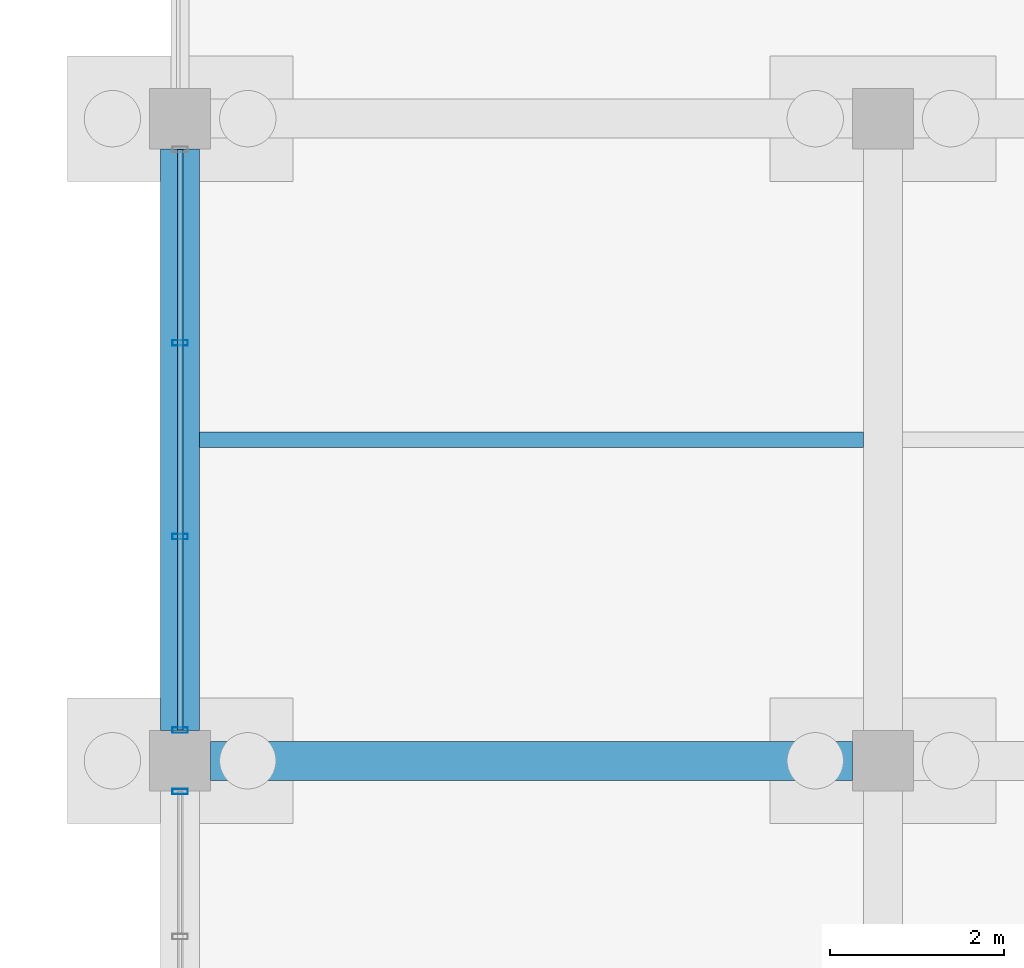
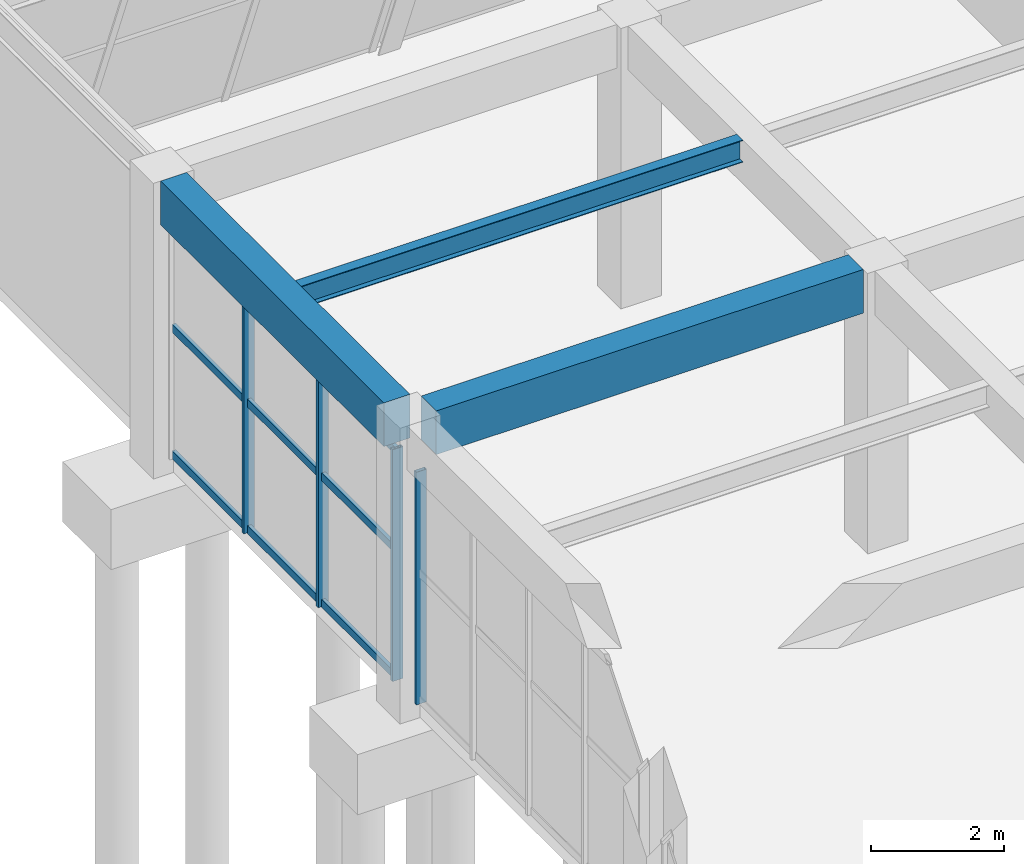
# One storey, part 83 of 140: 7 members, 3 beams, 2 elements without a shape of their own.
"""IFC4 building model written with IfcOpenShell, lengths in metres."""

from ifc_helpers import new_model, si_unit, direction, frame, origin, origin_2d, place, context, subcontext, project, spatial, rectangle, hollow_rectangle, i_section, extrude, material, material_profile, profile_set, type_object, element, aggregate, save


model = new_model("IFC4")

# Units and contexts
model_context = context("Model", 3, precision=1e-05, world=origin(), true_north=direction((0.0, 1.0)))
body_context = subcontext(model_context, "Body", "Model", "MODEL_VIEW")
ifc_project = project(units=[si_unit("LENGTHUNIT", "METRE"), si_unit("AREAUNIT", "SQUARE_METRE"), si_unit("VOLUMEUNIT", "CUBIC_METRE"), si_unit("PLANEANGLEUNIT", "RADIAN"), si_unit("MASSUNIT", "GRAM", prefix="KILO")], contexts=[model_context])

# Site, building, storey
site_placement = place(None, origin())
site = spatial("IfcSite", under=ifc_project, at=site_placement, CompositionType="ELEMENT")
building_placement = place(site_placement, origin())
building = spatial("IfcBuilding", under=site, at=building_placement, Name="Cimatlan Art Gallery", CompositionType="ELEMENT")
storey_placement = place(building_placement, origin())
storey = spatial("IfcBuildingStorey", under=building, at=storey_placement, Name="L00", CompositionType="ELEMENT", Elevation=0.0)

# Beams
ifc_material_1 = material(Name="Concrete C40/50", Category="concrete")
ifc_material_profile_1 = material_profile(ifc_material_1, rectangle(XDim=0.449951171875, YDim=0.800048828125, at=origin_2d()), Name="RC450X800")
ifc_profile_set_1 = profile_set([ifc_material_profile_1], Name="Concrete C40/50")
beam_type_1 = type_object("IfcBeamType", Name="BM-RC-450X800", PredefinedType="BEAM", material=ifc_profile_set_1)
beam_1_placement = place(storey_placement, frame((115.39990234375, 83.449951171875, 4.735107421875), z_axis=(0.0, 1.0, 0.0), x_axis=(-1.0, 0.0, 0.0)))
element("IfcBeam", 1, at=beam_1_placement, inside=storey, type_object=beam_type_1, Name="BM-Y-L00-14-11", PredefinedType="BEAM", context=body_context, shape_type="SweptSolid", body=[
    extrude(rectangle(XDim=0.449951171875, YDim=0.800048828125, at=origin_2d()), origin(), (0.0, 0.0, 1.0), 6.699951171875),
])
beam_2_placement = place(storey_placement, frame((115.75, 83.10009765625, 4.735107421875), z_axis=(1.0, 0.0, 0.0), x_axis=(0.0, 1.0, 0.0)))
element("IfcBeam", 2, at=beam_2_placement, inside=storey, type_object=beam_type_1, Name="BM-X-L00-14-11", PredefinedType="BEAM", context=body_context, shape_type="SweptSolid", body=[
    extrude(rectangle(XDim=0.449951171875, YDim=0.800048828125, at=origin_2d()), origin(), (0.0, 0.0, 1.0), 7.39990234375),
])
ifc_material_2 = material(Name="Steel ASTM A992 Grade 50", Category="steel")
ifc_material_profile_2 = material_profile(ifc_material_2, i_section(OverallWidth=0.177978515625, OverallDepth=0.406982421875, WebThickness=0.0078125, FlangeThickness=0.0126953125, at=origin_2d()), Name="W16X40")
ifc_profile_set_2 = profile_set([ifc_material_profile_2], Name="Steel ASTM A992 Grade 50")
beam_type_2 = type_object("IfcBeamType", Name="BM-STL-W16X40", PredefinedType="JOIST", material=ifc_profile_set_2)
beam_3_placement = place(storey_placement, frame((115.625, 86.800048828125, 4.931396484375), z_axis=(1.0, 0.0, 0.0), x_axis=(0.0, 1.0, 0.0)))
element("IfcBeam", 3, at=beam_3_placement, inside=storey, type_object=beam_type_2, Name="JST-L00-14-11", PredefinedType="JOIST", context=body_context, shape_type="SweptSolid", body=[
    extrude(i_section(OverallWidth=0.177978515625, OverallDepth=0.406982421875, WebThickness=0.0078125, FlangeThickness=0.0126953125, at=origin_2d()), origin(), (0.0, 0.0, 1.0), 7.64990234375),
])

# Curtain wall, member
ifc_material_3 = material(Name="Anodised bronze unitised curtain wall")
curtain_wall_type_1 = type_object("IfcCurtainWallType", Name="CW-V-06692X04260-B4", PredefinedType="NOTDEFINED", material=ifc_material_3)
curtain_wall_1_placement = place(storey_placement, origin())
curtain_wall_1 = element("IfcCurtainWall", 4, at=curtain_wall_1_placement, inside=storey, type_object=curtain_wall_type_1, Name="CW-L00-14-10-W", PredefinedType="NOTDEFINED")
ifc_material_4 = material(Name="Anodised bronze aluminium 6063-T6", Category="aluminium")
ifc_material_profile_3 = material_profile(ifc_material_4, hollow_rectangle(XDim=0.06494140625, YDim=0.179931640625, WallThickness=0.00390625, at=origin_2d()), Name="ALU65X180X4")
ifc_profile_set_3 = profile_set([ifc_material_profile_3], Name="Anodised bronze aluminium 6063-T6")
member_type_1 = type_object("IfcMemberType", Name="CW-MUL-180", PredefinedType="MULLION", material=ifc_profile_set_3)
member_1_placement = place(storey_placement, frame((115.39990234375, 82.74609375, 0.0), z_axis=(0.0, 0.0, 1.0), x_axis=(0.0, 1.0, 0.0)))
member_1 = element("IfcMember", 5, at=member_1_placement, type_object=member_type_1, Name="CW-L00-14-10-W-M5", PredefinedType="MULLION", context=body_context, shape_type="SweptSolid", body=[
    extrude(hollow_rectangle(XDim=0.06494140625, YDim=0.179931640625, WallThickness=0.00390625, at=origin_2d()), origin(), (0.0, 0.0, 1.0), 4.260009765625),
])
aggregate(curtain_wall_1, [member_1])

# Curtain wall, members
curtain_wall_type_2 = type_object("IfcCurtainWallType", Name="CW-V-06692X04245-B3", PredefinedType="NOTDEFINED", material=ifc_material_3)
curtain_wall_2_placement = place(storey_placement, origin())
curtain_wall_2 = element("IfcCurtainWall", 6, at=curtain_wall_2_placement, inside=storey, type_object=curtain_wall_type_2, Name="CW-L00-14-11-W", PredefinedType="NOTDEFINED")
member_2_placement = place(storey_placement, frame((115.39990234375, 83.4541015625, 0.0), z_axis=(0.0, 0.0, 1.0), x_axis=(0.0, 1.0, 0.0)))
member_2 = element("IfcMember", 7, at=member_2_placement, type_object=member_type_1, Name="CW-L00-14-11-W-M1", PredefinedType="MULLION", context=body_context, shape_type="SweptSolid", body=[
    extrude(hollow_rectangle(XDim=0.06494140625, YDim=0.179931640625, WallThickness=0.00390625, at=origin_2d()), origin(), (0.0, 0.0, 1.0), 4.2451171875),
])
member_3_placement = place(storey_placement, frame((115.39990234375, 85.6845703125, 0.0), z_axis=(0.0, 0.0, 1.0), x_axis=(0.0, 1.0, 0.0)))
member_3 = element("IfcMember", 8, at=member_3_placement, type_object=member_type_1, Name="CW-L00-14-11-W-M2", PredefinedType="MULLION", context=body_context, shape_type="SweptSolid", body=[
    extrude(hollow_rectangle(XDim=0.06494140625, YDim=0.179931640625, WallThickness=0.00390625, at=origin_2d()), origin(), (0.0, 0.0, 1.0), 4.2451171875),
])
member_4_placement = place(storey_placement, frame((115.39990234375, 87.915283203125, 0.0), z_axis=(0.0, 0.0, 1.0), x_axis=(0.0, 1.0, 0.0)))
member_4 = element("IfcMember", 9, at=member_4_placement, type_object=member_type_1, Name="CW-L00-14-11-W-M3", PredefinedType="MULLION", context=body_context, shape_type="SweptSolid", body=[
    extrude(hollow_rectangle(XDim=0.06494140625, YDim=0.179931640625, WallThickness=0.00390625, at=origin_2d()), origin(), (0.0, 0.0, 1.0), 4.2451171875),
])
ifc_material_profile_4 = material_profile(ifc_material_4, hollow_rectangle(XDim=0.06494140625, YDim=0.139892578125, WallThickness=0.00390625, at=origin_2d()), Name="ALU65X140X4")
ifc_profile_set_4 = profile_set([ifc_material_profile_4], Name="Anodised bronze aluminium 6063-T6")
member_type_2 = type_object("IfcMemberType", Name="CW-TRN-140", PredefinedType="USERDEFINED", material=ifc_profile_set_4)
member_5_placement = place(storey_placement, frame((115.39990234375, 83.4541015625, 0.06005859375), z_axis=(0.0, 1.0, 0.0), x_axis=(-1.0, 0.0, 0.0)))
member_5 = element("IfcMember", 10, at=member_5_placement, type_object=member_type_2, Name="CW-L00-14-11-W-T1", ObjectType="TRANSOM", PredefinedType="USERDEFINED", context=body_context, shape_type="SweptSolid", body=[
    extrude(hollow_rectangle(XDim=0.06494140625, YDim=0.139892578125, WallThickness=0.00390625, at=origin_2d()), origin(), (0.0, 0.0, 1.0), 6.69189453125),
])
member_6_placement = place(storey_placement, frame((115.39990234375, 83.4541015625, 2.377197265625), z_axis=(0.0, 1.0, 0.0), x_axis=(-1.0, 0.0, 0.0)))
member_6 = element("IfcMember", 11, at=member_6_placement, type_object=member_type_2, Name="CW-L00-14-11-W-T2", ObjectType="TRANSOM", PredefinedType="USERDEFINED", context=body_context, shape_type="SweptSolid", body=[
    extrude(hollow_rectangle(XDim=0.06494140625, YDim=0.139892578125, WallThickness=0.00390625, at=origin_2d()), origin(), (0.0, 0.0, 1.0), 6.69189453125),
])
member_7_placement = place(storey_placement, frame((115.39990234375, 83.4541015625, 4.18505859375), z_axis=(0.0, 1.0, 0.0), x_axis=(-1.0, 0.0, 0.0)))
member_7 = element("IfcMember", 12, at=member_7_placement, type_object=member_type_2, Name="CW-L00-14-11-W-T3", ObjectType="TRANSOM", PredefinedType="USERDEFINED", context=body_context, shape_type="SweptSolid", body=[
    extrude(hollow_rectangle(XDim=0.06494140625, YDim=0.139892578125, WallThickness=0.00390625, at=origin_2d()), origin(), (0.0, 0.0, 1.0), 6.69189453125),
])
aggregate(curtain_wall_2, [member_2, member_3, member_4, member_5, member_6, member_7])

save(model, "model.ifc")
